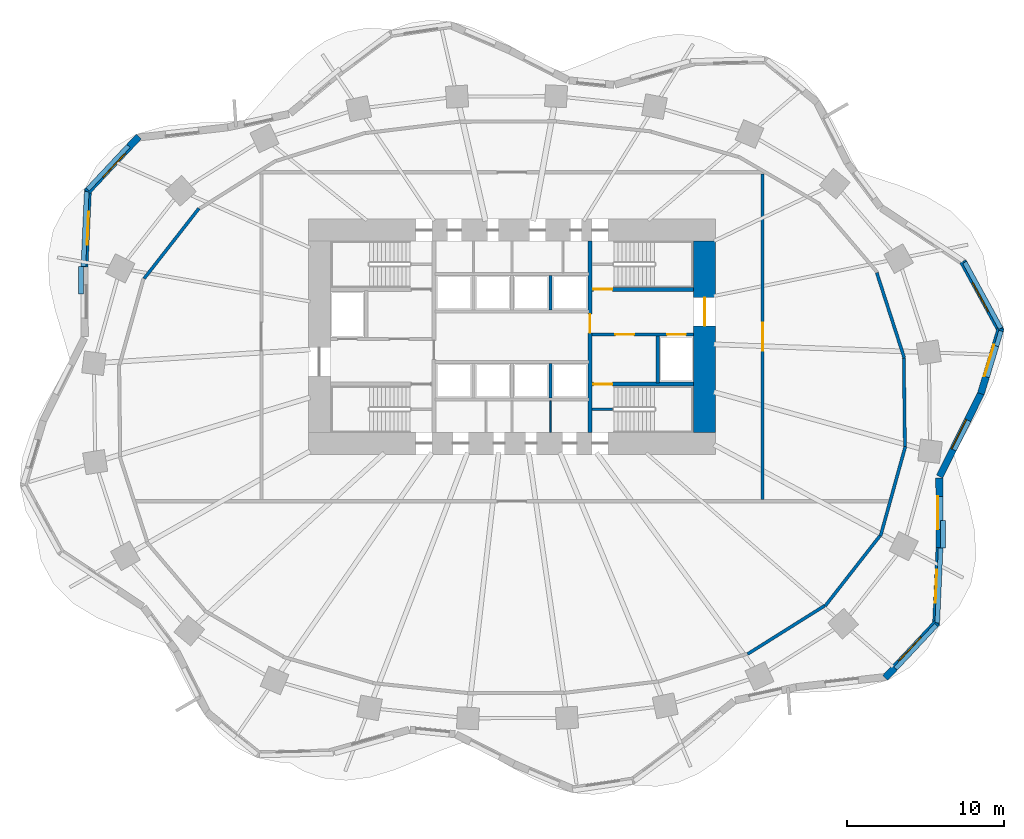
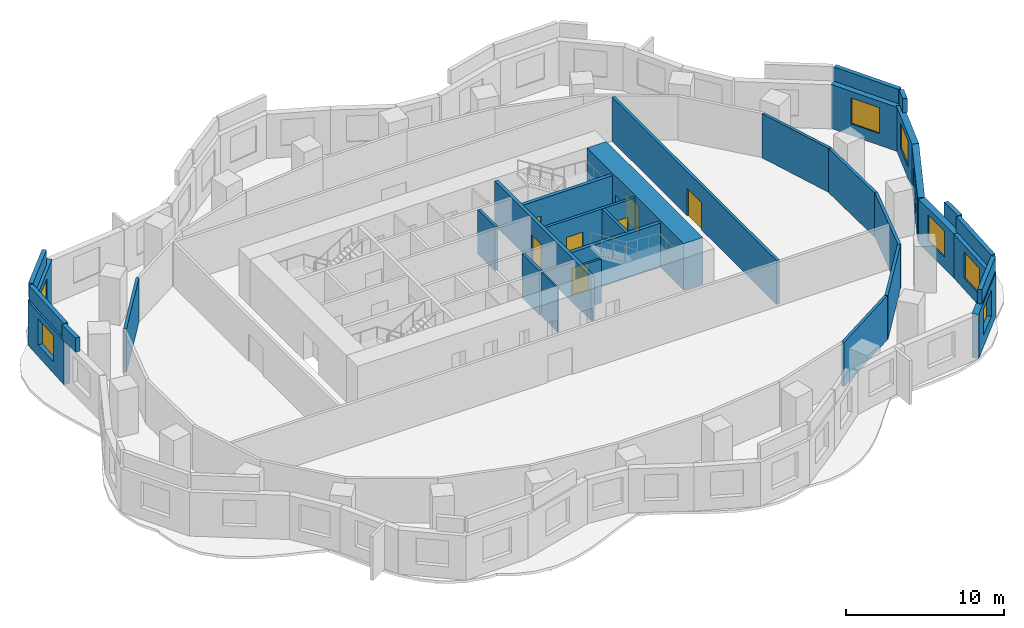
# One storey, part 5 of 8: 33 walls, 8 windows, 7 doors, 15 openings.
"""IFC4 building model written with IfcOpenShell, lengths in metres."""

from ifc_helpers import new_model, si_unit, direction, frame, frame_2d, origin, place, context, subcontext, project, spatial, rectangle, extrude, material, layer, layer_set, type_object, element, fill, save


model = new_model("IFC4")

# Units and contexts
model_context = context("Model", 3, precision=1e-05, world=origin(), true_north=direction((0.0, 1.0)))
body_context = subcontext(model_context, "Body", "Model", "MODEL_VIEW")
ifc_project = project(units=[si_unit("LENGTHUNIT", "METRE"), si_unit("AREAUNIT", "SQUARE_METRE"), si_unit("VOLUMEUNIT", "CUBIC_METRE"), si_unit("PLANEANGLEUNIT", "RADIAN"), si_unit("MASSUNIT", "GRAM", prefix="KILO")], contexts=[model_context])

# Site, building, storey
site_placement = place(None, origin())
site = spatial("IfcSite", under=ifc_project, at=site_placement, CompositionType="ELEMENT")
building_placement = place(site_placement, origin())
building = spatial("IfcBuilding", under=site, at=building_placement, Name="Rubra Terraces Tower", CompositionType="ELEMENT")
storey_placement = place(building_placement, frame((0.0, 0.0, 55.5)))
storey = spatial("IfcBuildingStorey", under=building, at=storey_placement, Name="L11", CompositionType="ELEMENT", Elevation=55.5)

# Wall, opening, window
ifc_material_1 = material(Name="Brick masonry red-brown", Category="masonry")
ifc_layer_1 = layer(ifc_material_1, 0.449951171875)
ifc_layer_set_1 = layer_set([ifc_layer_1], Name="Brick masonry red-brown")
wall_type_1 = type_object("IfcWallType", Name="Brick facade wall 450", PredefinedType="SOLIDWALL", material=ifc_layer_set_1)
wall_1_placement = place(storey_placement, frame((29.926513671875, 0.86474609375, 0.0), z_axis=(0.0, 0.0, 1.0), x_axis=(0.289432445378, 0.957198443147, 0.0)))
wall_1 = element("IfcWall", 1, at=wall_1_placement, inside=storey, type_object=wall_type_1, Name="Facade wall L11 bay 1", PredefinedType="SOLIDWALL", context=body_context, shape_type="SweptSolid", body=[
    extrude(rectangle(XDim=4.361083984375, YDim=0.449951171875, at=frame_2d((2.1806640625, 0.0))), origin(), (0.0, 0.0, 1.0), 3.39990234375),
])
opening_1_placement = place(wall_1_placement, frame((1.130615234375, 0.0, 0.89990234375)))
opening_1 = element("IfcOpeningElement", 2, at=opening_1_placement, cuts=wall_1, Name="Opening W1", PredefinedType="OPENING", context=body_context, shape_type="SweptSolid", body=[
    extrude(rectangle(XDim=2.10009765625, YDim=2.0, at=frame_2d((1.050048828125, 1.0))), frame((0.0, 0.23486328125, 0.0), z_axis=(0.0, -1.0, 0.0), x_axis=(1.0, 0.0, 0.0)), (0.0, 0.0, 1.0), 0.469970703125),
])
ifc_material_2 = material(Name="Clear glass in aluminium frame", Category="aluminium")
window_type = type_object("IfcWindowType", Name="Fixed deep-set window 2100 x 2000", PartitioningType="SINGLE_PANEL", PredefinedType="WINDOW", material=ifc_material_2)
window_1_placement = place(opening_1_placement, origin())
window_1 = element("IfcWindow", 3, at=window_1_placement, inside=storey, type_object=window_type, Name="Window L11 bay 1", OverallHeight=2.0, OverallWidth=2.10009765625, PartitioningType="SINGLE_PANEL", PredefinedType="WINDOW", context=body_context, shape_type="SweptSolid", body=[
    extrude(rectangle(XDim=2.10009765625, YDim=2.0, at=frame_2d((1.050048828125, 1.0))), frame((0.0, 0.135009765625, 0.0), z_axis=(0.0, -1.0, 0.0), x_axis=(1.0, 0.0, 0.0)), (0.0, 0.0, 1.0), 0.06005859375),
])
fill(opening_1, window_1)

wall_2_placement = place(storey_placement, frame((31.20654296875, 4.8662109375, 0.0), z_axis=(0.0, 0.0, 1.0), x_axis=(-0.479565142605, 0.877506281458, 0.0)))
wall_2 = element("IfcWall", 4, at=wall_2_placement, inside=storey, type_object=wall_type_1, Name="Facade wall L11 bay 2", PredefinedType="SOLIDWALL", context=body_context, shape_type="SweptSolid", body=[
    extrude(rectangle(XDim=5.060791015625, YDim=0.449951171875, at=frame_2d((2.5302734375, 0.0))), origin(), (0.0, 0.0, 1.0), 3.39990234375),
])
opening_2_placement = place(wall_2_placement, frame((1.48046875, 0.0, 0.89990234375)))
opening_2 = element("IfcOpeningElement", 5, at=opening_2_placement, cuts=wall_2, Name="Opening W1", PredefinedType="OPENING", context=body_context, shape_type="SweptSolid", body=[
    extrude(rectangle(XDim=2.10009765625, YDim=2.0, at=frame_2d((1.050048828125, 1.0))), frame((0.0, 0.23486328125, 0.0), z_axis=(0.0, -1.0, 0.0), x_axis=(1.0, 0.0, 0.0)), (0.0, 0.0, 1.0), 0.469970703125),
])
window_2_placement = place(opening_2_placement, origin())
window_2 = element("IfcWindow", 6, at=window_2_placement, inside=storey, type_object=window_type, Name="Window L11 bay 2", OverallHeight=2.0, OverallWidth=2.10009765625, PartitioningType="SINGLE_PANEL", PredefinedType="WINDOW", context=body_context, shape_type="SweptSolid", body=[
    extrude(rectangle(XDim=2.10009765625, YDim=2.0, at=frame_2d((1.050048828125, 1.0))), frame((0.0, 0.135009765625, 0.0), z_axis=(0.0, -1.0, 0.0), x_axis=(1.0, 0.0, 0.0)), (0.0, 0.0, 1.0), 0.06005859375),
])
fill(opening_2, window_2)

wall_3_placement = place(storey_placement, frame((-23.822021484375, 17.273193359375, 0.0), z_axis=(0.0, 0.0, 1.0), x_axis=(-0.684173167988, -0.729319598122, 0.0)))
wall_3 = element("IfcWall", 7, at=wall_3_placement, inside=storey, type_object=wall_type_1, Name="Facade wall L11 bay 17", PredefinedType="SOLIDWALL", context=body_context, shape_type="SweptSolid", body=[
    extrude(rectangle(XDim=4.8291015625, YDim=0.449951171875, at=frame_2d((2.41455078125, 0.0))), origin(), (0.0, 0.0, 1.0), 3.39990234375),
])
opening_3_placement = place(wall_3_placement, frame((1.364501953125, 0.0, 0.89990234375)))
opening_3 = element("IfcOpeningElement", 8, at=opening_3_placement, cuts=wall_3, Name="Opening W1", PredefinedType="OPENING", context=body_context, shape_type="SweptSolid", body=[
    extrude(rectangle(XDim=2.10009765625, YDim=2.0, at=frame_2d((1.050048828125, 1.0))), frame((0.0, 0.23486328125, 0.0), z_axis=(0.0, -1.0, 0.0), x_axis=(1.0, 0.0, 0.0)), (0.0, 0.0, 1.0), 0.469970703125),
])
window_3_placement = place(opening_3_placement, origin())
window_3 = element("IfcWindow", 9, at=window_3_placement, inside=storey, type_object=window_type, Name="Window L11 bay 17", OverallHeight=2.0, OverallWidth=2.10009765625, PartitioningType="SINGLE_PANEL", PredefinedType="WINDOW", context=body_context, shape_type="SweptSolid", body=[
    extrude(rectangle(XDim=2.10009765625, YDim=2.0, at=frame_2d((1.050048828125, 1.0))), frame((0.0, 0.135009765625, 0.0), z_axis=(0.0, -1.0, 0.0), x_axis=(1.0, 0.0, 0.0)), (0.0, 0.0, 1.0), 0.06005859375),
])
fill(opening_3, window_3)

wall_4_placement = place(storey_placement, frame((-27.0654296875, 13.889892578125, 0.0), z_axis=(0.0, 0.0, 1.0), x_axis=(-0.044544250924, -0.99900741224, 0.0)))
wall_4 = element("IfcWall", 10, at=wall_4_placement, inside=storey, type_object=wall_type_1, Name="Facade wall L11 bay 18", PredefinedType="SOLIDWALL", context=body_context, shape_type="SweptSolid", body=[
    extrude(rectangle(XDim=4.938232421875, YDim=0.449951171875, at=frame_2d((2.46923828125, 0.0))), origin(), (0.0, 0.0, 1.0), 3.39990234375),
])
opening_4_placement = place(wall_4_placement, frame((1.419189453125, 0.0, 0.89990234375)))
opening_4 = element("IfcOpeningElement", 11, at=opening_4_placement, cuts=wall_4, Name="Opening W1", PredefinedType="OPENING", context=body_context, shape_type="SweptSolid", body=[
    extrude(rectangle(XDim=2.10009765625, YDim=2.0, at=frame_2d((1.050048828125, 1.0))), frame((0.0, 0.23486328125, 0.0), z_axis=(0.0, -1.0, 0.0), x_axis=(1.0, 0.0, 0.0)), (0.0, 0.0, 1.0), 0.469970703125),
])
window_4_placement = place(opening_4_placement, origin())
window_4 = element("IfcWindow", 12, at=window_4_placement, inside=storey, type_object=window_type, Name="Window L11 bay 18", OverallHeight=2.0, OverallWidth=2.10009765625, PartitioningType="SINGLE_PANEL", PredefinedType="WINDOW", context=body_context, shape_type="SweptSolid", body=[
    extrude(rectangle(XDim=2.10009765625, YDim=2.0, at=frame_2d((1.050048828125, 1.0))), frame((0.0, 0.135009765625, 0.0), z_axis=(0.0, -1.0, 0.0), x_axis=(1.0, 0.0, 0.0)), (0.0, 0.0, 1.0), 0.06005859375),
])
fill(opening_4, window_4)

wall_5_placement = place(storey_placement, frame((23.822021484375, -17.273193359375, 0.0), z_axis=(0.0, 0.0, 1.0), x_axis=(0.684173167988, 0.729319598122, 0.0)))
wall_5 = element("IfcWall", 13, at=wall_5_placement, inside=storey, type_object=wall_type_1, Name="Facade wall L11 bay 37", PredefinedType="SOLIDWALL", context=body_context, shape_type="SweptSolid", body=[
    extrude(rectangle(XDim=4.8291015625, YDim=0.449951171875, at=frame_2d((2.41455078125, 0.0))), origin(), (0.0, 0.0, 1.0), 3.39990234375),
])
opening_5_placement = place(wall_5_placement, frame((1.364501953125, 0.0, 0.89990234375)))
opening_5 = element("IfcOpeningElement", 14, at=opening_5_placement, cuts=wall_5, Name="Opening W1", PredefinedType="OPENING", context=body_context, shape_type="SweptSolid", body=[
    extrude(rectangle(XDim=2.10009765625, YDim=2.0, at=frame_2d((1.050048828125, 1.0))), frame((0.0, 0.23486328125, 0.0), z_axis=(0.0, -1.0, 0.0), x_axis=(1.0, 0.0, 0.0)), (0.0, 0.0, 1.0), 0.469970703125),
])
window_5_placement = place(opening_5_placement, origin())
window_5 = element("IfcWindow", 15, at=window_5_placement, inside=storey, type_object=window_type, Name="Window L11 bay 37", OverallHeight=2.0, OverallWidth=2.10009765625, PartitioningType="SINGLE_PANEL", PredefinedType="WINDOW", context=body_context, shape_type="SweptSolid", body=[
    extrude(rectangle(XDim=2.10009765625, YDim=2.0, at=frame_2d((1.050048828125, 1.0))), frame((0.0, 0.135009765625, 0.0), z_axis=(0.0, -1.0, 0.0), x_axis=(1.0, 0.0, 0.0)), (0.0, 0.0, 1.0), 0.06005859375),
])
fill(opening_5, window_5)

wall_6_placement = place(storey_placement, frame((27.0654296875, -13.889892578125, 0.0), z_axis=(0.0, 0.0, 1.0), x_axis=(0.044544250924, 0.99900741224, 0.0)))
wall_6 = element("IfcWall", 16, at=wall_6_placement, inside=storey, type_object=wall_type_1, Name="Facade wall L11 bay 38", PredefinedType="SOLIDWALL", context=body_context, shape_type="SweptSolid", body=[
    extrude(rectangle(XDim=4.938232421875, YDim=0.449951171875, at=frame_2d((2.46923828125, 0.0))), origin(), (0.0, 0.0, 1.0), 3.39990234375),
])
opening_6_placement = place(wall_6_placement, frame((1.419189453125, 0.0, 0.89990234375)))
opening_6 = element("IfcOpeningElement", 17, at=opening_6_placement, cuts=wall_6, Name="Opening W1", PredefinedType="OPENING", context=body_context, shape_type="SweptSolid", body=[
    extrude(rectangle(XDim=2.10009765625, YDim=2.0, at=frame_2d((1.050048828125, 1.0))), frame((0.0, 0.23486328125, 0.0), z_axis=(0.0, -1.0, 0.0), x_axis=(1.0, 0.0, 0.0)), (0.0, 0.0, 1.0), 0.469970703125),
])
window_6_placement = place(opening_6_placement, origin())
window_6 = element("IfcWindow", 18, at=window_6_placement, inside=storey, type_object=window_type, Name="Window L11 bay 38", OverallHeight=2.0, OverallWidth=2.10009765625, PartitioningType="SINGLE_PANEL", PredefinedType="WINDOW", context=body_context, shape_type="SweptSolid", body=[
    extrude(rectangle(XDim=2.10009765625, YDim=2.0, at=frame_2d((1.050048828125, 1.0))), frame((0.0, 0.135009765625, 0.0), z_axis=(0.0, -1.0, 0.0), x_axis=(1.0, 0.0, 0.0)), (0.0, 0.0, 1.0), 0.06005859375),
])
fill(opening_6, window_6)

wall_7_placement = place(storey_placement, frame((27.284912109375, -8.966796875, 0.0), z_axis=(0.0, 0.0, 1.0), x_axis=(-0.003185571797, 0.999994926053, 0.0)))
wall_7 = element("IfcWall", 19, at=wall_7_placement, inside=storey, type_object=wall_type_1, Name="Facade wall L11 bay 39", PredefinedType="SOLIDWALL", context=body_context, shape_type="SweptSolid", body=[
    extrude(rectangle(XDim=4.445068359375, YDim=0.449951171875, at=frame_2d((2.22265625, 0.0))), origin(), (0.0, 0.0, 1.0), 3.39990234375),
])
opening_7_placement = place(wall_7_placement, frame((1.172607421875, 0.0, 0.89990234375)))
opening_7 = element("IfcOpeningElement", 20, at=opening_7_placement, cuts=wall_7, Name="Opening W1", PredefinedType="OPENING", context=body_context, shape_type="SweptSolid", body=[
    extrude(rectangle(XDim=2.10009765625, YDim=2.0, at=frame_2d((1.050048828125, 1.0))), frame((0.0, 0.23486328125, 0.0), z_axis=(0.0, -1.0, 0.0), x_axis=(1.0, 0.0, 0.0)), (0.0, 0.0, 1.0), 0.469970703125),
])
window_7_placement = place(opening_7_placement, origin())
window_7 = element("IfcWindow", 21, at=window_7_placement, inside=storey, type_object=window_type, Name="Window L11 bay 39", OverallHeight=2.0, OverallWidth=2.10009765625, PartitioningType="SINGLE_PANEL", PredefinedType="WINDOW", context=body_context, shape_type="SweptSolid", body=[
    extrude(rectangle(XDim=2.10009765625, YDim=2.0, at=frame_2d((1.050048828125, 1.0))), frame((0.0, 0.135009765625, 0.0), z_axis=(0.0, -1.0, 0.0), x_axis=(1.0, 0.0, 0.0)), (0.0, 0.0, 1.0), 0.06005859375),
])
fill(opening_7, window_7)

wall_8_placement = place(storey_placement, frame((27.294189453125, -4.426513671875, 0.0), z_axis=(0.0, 0.0, 1.0), x_axis=(0.444913249375, 0.895573671191, 0.0)))
wall_8 = element("IfcWall", 22, at=wall_8_placement, inside=storey, type_object=wall_type_1, Name="Facade wall L11 bay 40", PredefinedType="SOLIDWALL", context=body_context, shape_type="SweptSolid", body=[
    extrude(rectangle(XDim=5.947265625, YDim=0.449951171875, at=frame_2d((2.9736328125, 0.0))), origin(), (0.0, 0.0, 1.0), 3.39990234375),
])
opening_8_placement = place(wall_8_placement, frame((1.923583984375, 0.0, 0.89990234375)))
opening_8 = element("IfcOpeningElement", 23, at=opening_8_placement, cuts=wall_8, Name="Opening W1", PredefinedType="OPENING", context=body_context, shape_type="SweptSolid", body=[
    extrude(rectangle(XDim=2.10009765625, YDim=2.0, at=frame_2d((1.050048828125, 1.0))), frame((0.0, 0.23486328125, 0.0), z_axis=(0.0, -1.0, 0.0), x_axis=(1.0, 0.0, 0.0)), (0.0, 0.0, 1.0), 0.469970703125),
])
window_8_placement = place(opening_8_placement, origin())
window_8 = element("IfcWindow", 24, at=window_8_placement, inside=storey, type_object=window_type, Name="Window L11 bay 40", OverallHeight=2.0, OverallWidth=2.10009765625, PartitioningType="SINGLE_PANEL", PredefinedType="WINDOW", context=body_context, shape_type="SweptSolid", body=[
    extrude(rectangle(XDim=2.10009765625, YDim=2.0, at=frame_2d((1.050048828125, 1.0))), frame((0.0, 0.135009765625, 0.0), z_axis=(0.0, -1.0, 0.0), x_axis=(1.0, 0.0, 0.0)), (0.0, 0.0, 1.0), 0.06005859375),
])
fill(opening_8, window_8)

# Walls
ifc_layer_2 = layer(ifc_material_1, 0.300048828125)
ifc_layer_set_2 = layer_set([ifc_layer_2], Name="Brick masonry red-brown")
wall_type_2 = type_object("IfcWallType", Name="Brick parapet 300", PredefinedType="PARAPET", material=ifc_layer_set_2)
wall_9_placement = place(storey_placement, frame((30.923583984375, 3.9033203125, 3.60009765625), z_axis=(0.0, 0.0, 1.0), x_axis=(0.289368862089, 0.95721766681, 0.0)))
element("IfcWall", 25, at=wall_9_placement, inside=storey, type_object=wall_type_2, Name="Parapet L11 bay 1", PredefinedType="PARAPET", context=body_context, shape_type="SweptSolid", body=[
    extrude(rectangle(XDim=1.00830078125, YDim=0.300048828125, at=frame_2d((0.504150390625, 0.0))), origin(), (0.0, 0.0, 1.0), 1.099853515625),
])
wall_10_placement = place(storey_placement, frame((31.19775390625, 5.038818359375, 3.60009765625), z_axis=(0.0, 0.0, 1.0), x_axis=(-0.479564593641, 0.877506581472, 0.0)))
element("IfcWall", 26, at=wall_10_placement, inside=storey, type_object=wall_type_2, Name="Parapet L11 bay 2", PredefinedType="PARAPET", context=body_context, shape_type="SweptSolid", body=[
    extrude(rectangle(XDim=4.80078125, YDim=0.300048828125, at=frame_2d((2.400390625, 0.0))), origin(), (0.0, 0.0, 1.0), 1.099853515625),
])
wall_11_placement = place(storey_placement, frame((-24.4814453125, 16.6796875, 3.60009765625), z_axis=(0.0, 0.0, 1.0), x_axis=(-0.684154586848, -0.729337028606, 0.0)))
element("IfcWall", 27, at=wall_11_placement, inside=storey, type_object=wall_type_2, Name="Parapet L11 bay 17", PredefinedType="PARAPET", context=body_context, shape_type="SweptSolid", body=[
    extrude(rectangle(XDim=3.803955078125, YDim=0.300048828125, at=frame_2d((1.90185546875, 0.0))), origin(), (0.0, 0.0, 1.0), 1.099853515625),
])
wall_12_placement = place(storey_placement, frame((-27.146484375, 13.75732421875, 3.60009765625), z_axis=(0.0, 0.0, 1.0), x_axis=(-0.044503972994, -0.999009207359, 0.0)))
element("IfcWall", 28, at=wall_12_placement, inside=storey, type_object=wall_type_2, Name="Parapet L11 bay 18", PredefinedType="PARAPET", context=body_context, shape_type="SweptSolid", body=[
    extrude(rectangle(XDim=4.76708984375, YDim=0.300048828125, at=frame_2d((2.383544921875, 0.0))), origin(), (0.0, 0.0, 1.0), 1.099853515625),
])
wall_13_placement = place(storey_placement, frame((-27.510009765625, 8.9716796875, 3.60009765625), z_axis=(0.0, 0.0, 1.0), x_axis=(0.003223981002, -0.99999480296, 0.0)))
element("IfcWall", 29, at=wall_13_placement, inside=storey, type_object=wall_type_2, Name="Parapet L11 bay 19", PredefinedType="PARAPET", context=body_context, shape_type="SweptSolid", body=[
    extrude(rectangle(XDim=1.74169921875, YDim=0.300048828125, at=frame_2d((0.870849609375, 0.0))), origin(), (0.0, 0.0, 1.0), 1.099853515625),
])
wall_14_placement = place(storey_placement, frame((24.4814453125, -16.6796875, 3.60009765625), z_axis=(0.0, 0.0, 1.0), x_axis=(0.684154586848, 0.729337028606, 0.0)))
element("IfcWall", 30, at=wall_14_placement, inside=storey, type_object=wall_type_2, Name="Parapet L11 bay 37", PredefinedType="PARAPET", context=body_context, shape_type="SweptSolid", body=[
    extrude(rectangle(XDim=3.803955078125, YDim=0.300048828125, at=frame_2d((1.90185546875, 0.0))), origin(), (0.0, 0.0, 1.0), 1.099853515625),
])
wall_15_placement = place(storey_placement, frame((27.146484375, -13.75732421875, 3.60009765625), z_axis=(0.0, 0.0, 1.0), x_axis=(0.044503972994, 0.999009207359, 0.0)))
element("IfcWall", 31, at=wall_15_placement, inside=storey, type_object=wall_type_2, Name="Parapet L11 bay 38", PredefinedType="PARAPET", context=body_context, shape_type="SweptSolid", body=[
    extrude(rectangle(XDim=4.76708984375, YDim=0.300048828125, at=frame_2d((2.383544921875, 0.0))), origin(), (0.0, 0.0, 1.0), 1.099853515625),
])
wall_16_placement = place(storey_placement, frame((27.510009765625, -8.9716796875, 3.60009765625), z_axis=(0.0, 0.0, 1.0), x_axis=(-0.003223981002, 0.99999480296, 0.0)))
element("IfcWall", 32, at=wall_16_placement, inside=storey, type_object=wall_type_2, Name="Parapet L11 bay 39", PredefinedType="PARAPET", context=body_context, shape_type="SweptSolid", body=[
    extrude(rectangle(XDim=1.74169921875, YDim=0.300048828125, at=frame_2d((0.870849609375, 0.0))), origin(), (0.0, 0.0, 1.0), 1.099853515625),
])

# Wall, opening, door
ifc_material_3 = material(Name="Concrete C70", Category="concrete")
ifc_layer_3 = layer(ifc_material_3, 1.39990234375)
ifc_layer_set_3 = layer_set([ifc_layer_3], Name="Concrete C70")
wall_type_3 = type_object("IfcWallType", Name="CORE WALL 1400 C70", PredefinedType="SHEAR", material=ifc_layer_set_3)
wall_17_placement = place(storey_placement, frame((12.300048828125, -1.60009765625, 0.0), z_axis=(0.0, 0.0, 1.0), x_axis=(0.0, 1.0, 0.0)))
wall_17 = element("IfcWall", 33, at=wall_17_placement, inside=storey, type_object=wall_type_3, Name="CORE WALL E L11", PredefinedType="SHEAR", context=body_context, shape_type="SweptSolid", body=[
    extrude(rectangle(XDim=12.2001953125, YDim=1.39990234375, at=frame_2d((6.10009765625, 0.0))), origin(), (0.0, 0.0, 1.0), 3.60009765625),
])
opening_9_placement = place(wall_17_placement, frame((6.800048828125, 0.0, 0.0)))
opening_9 = element("IfcOpeningElement", 34, at=opening_9_placement, cuts=wall_17, Name="Opening L11.C02", PredefinedType="OPENING", context=body_context, shape_type="SweptSolid", body=[
    extrude(rectangle(XDim=1.800048828125, YDim=2.10009765625, at=frame_2d((0.89990234375, 1.050048828125))), frame((0.0, 0.7099609375, 0.0), z_axis=(0.0, -1.0, 0.0), x_axis=(1.0, 0.0, 0.0)), (0.0, 0.0, 1.0), 1.419921875),
])
ifc_material_4 = material(Name="Painted steel", Category="steel")
door_type_1 = type_object("IfcDoorType", Name="Fire door 1800x2100 double", OperationType="NOTDEFINED", PredefinedType="DOOR", material=ifc_material_4)
door_1_placement = place(opening_9_placement, origin())
door_1 = element("IfcDoor", 35, at=door_1_placement, inside=storey, type_object=door_type_1, Name="Core entrance door FF2", OperationType="DOUBLE_DOOR_SINGLE_SWING", OverallHeight=2.10009765625, OverallWidth=1.800048828125, PredefinedType="DOOR", context=body_context, shape_type="SweptSolid", body=[
    extrude(rectangle(XDim=1.800048828125, YDim=2.10009765625, at=frame_2d((0.89990234375, 1.050048828125))), frame((0.0, 0.02490234375, 0.0), z_axis=(0.0, -1.0, 0.0), x_axis=(1.0, 0.0, 0.0)), (0.0, 0.0, 1.0), 0.050048828125),
])
fill(opening_9, door_1)

# Wall, openings, doors
ifc_material_5 = material(Name="Concrete C30", Category="concrete")
ifc_layer_4 = layer(ifc_material_5, 0.199951171875)
ifc_layer_set_4 = layer_set([ifc_layer_4], Name="Concrete C30")
wall_type_4 = type_object("IfcWallType", Name="Core wall 200 concrete", PredefinedType="SOLIDWALL", material=ifc_layer_set_4)
wall_18_placement = place(storey_placement, frame((11.60009765625, 4.64990234375, 0.0), z_axis=(0.0, 0.0, 1.0), x_axis=(-1.0, 0.0, 0.0)))
wall_18 = element("IfcWall", 36, at=wall_18_placement, inside=storey, type_object=wall_type_4, Name="STAIR WALL L11", PredefinedType="SOLIDWALL", context=body_context, shape_type="SweptSolid", body=[
    extrude(rectangle(XDim=6.5, YDim=0.199951171875, at=frame_2d((3.25, 0.0))), origin(), (0.0, 0.0, 1.0), 3.39990234375),
])
opening_10_placement = place(wall_18_placement, frame((3.800048828125, 0.0, 0.0)))
opening_10 = element("IfcOpeningElement", 37, at=opening_10_placement, cuts=wall_18, Name="Opening L11.C06", PredefinedType="OPENING", context=body_context, shape_type="SweptSolid", body=[
    extrude(rectangle(XDim=1.199951171875, YDim=2.10009765625, at=frame_2d((0.60009765625, 1.050048828125))), frame((0.0, 0.10986328125, 0.0), z_axis=(0.0, -1.0, 0.0), x_axis=(1.0, 0.0, 0.0)), (0.0, 0.0, 1.0), 0.219970703125),
])
opening_11_placement = place(wall_18_placement, frame((0.5, 0.0, 0.0)))
opening_11 = element("IfcOpeningElement", 38, at=opening_11_placement, cuts=wall_18, Name="Opening L11.C12", PredefinedType="OPENING", context=body_context, shape_type="SweptSolid", body=[
    extrude(rectangle(XDim=1.199951171875, YDim=2.10009765625, at=frame_2d((0.60009765625, 1.050048828125))), frame((0.0, 0.10986328125, 0.0), z_axis=(0.0, -1.0, 0.0), x_axis=(1.0, 0.0, 0.0)), (0.0, 0.0, 1.0), 0.219970703125),
])
door_type_2 = type_object("IfcDoorType", Name="Fire door 1200x2100 single", OperationType="NOTDEFINED", PredefinedType="DOOR", material=ifc_material_4)
door_2_placement = place(opening_10_placement, origin())
door_2 = element("IfcDoor", 39, at=door_2_placement, inside=storey, type_object=door_type_2, Name="Stair vestibule door S4", OperationType="SINGLE_SWING_RIGHT", OverallHeight=2.10009765625, OverallWidth=1.199951171875, PredefinedType="DOOR", context=body_context, shape_type="SweptSolid", body=[
    extrude(rectangle(XDim=1.199951171875, YDim=2.10009765625, at=frame_2d((0.60009765625, 1.050048828125))), frame((0.0, 0.02490234375, 0.0), z_axis=(0.0, -1.0, 0.0), x_axis=(1.0, 0.0, 0.0)), (0.0, 0.0, 1.0), 0.050048828125),
])
fill(opening_10, door_2)
ifc_material_6 = material(Name="Stainless steel", Category="steel")
door_type_3 = type_object("IfcDoorType", Name="Lift landing door 1200x2100", OperationType="NOTDEFINED", PredefinedType="DOOR", material=ifc_material_6)
door_3_placement = place(opening_11_placement, origin())
door_3 = element("IfcDoor", 40, at=door_3_placement, inside=storey, type_object=door_type_3, Name="Landing door FF2", OperationType="SLIDING_TO_RIGHT", OverallHeight=2.10009765625, OverallWidth=1.199951171875, PredefinedType="DOOR", context=body_context, shape_type="SweptSolid", body=[
    extrude(rectangle(XDim=1.199951171875, YDim=2.10009765625, at=frame_2d((0.60009765625, 1.050048828125))), frame((0.0, 0.02490234375, 0.0), z_axis=(0.0, -1.0, 0.0), x_axis=(1.0, 0.0, 0.0)), (0.0, 0.0, 1.0), 0.050048828125),
])
fill(opening_11, door_3)

# Walls
wall_19_placement = place(storey_placement, frame((9.300048828125, 4.550048828125, 0.0), z_axis=(0.0, 0.0, 1.0), x_axis=(0.0, -1.0, 0.0)))
element("IfcWall", 41, at=wall_19_placement, inside=storey, type_object=wall_type_4, Name="STAIR WALL L11", PredefinedType="SOLIDWALL", context=body_context, shape_type="SweptSolid", body=[
    extrude(rectangle(XDim=3.0, YDim=0.199951171875, at=frame_2d((1.5, 0.0))), origin(), (0.0, 0.0, 1.0), 3.39990234375),
])
for number, where, z_axis, x_axis, name in (
    (42, (2.449951171875, 0.60009765625, 0.0), (0.0, 0.0, 1.0), (0.0, 1.0, 0.0), "LIFT SHAFT WALL L11"),
    (43, (2.449951171875, 6.199951171875, 0.0), (0.0, 0.0, 1.0), (0.0, 1.0, 0.0), "LIFT SHAFT WALL L11"),
):
    element("IfcWall", number, at=place(storey_placement, frame(where, z_axis=z_axis, x_axis=x_axis)), inside=storey, type_object=wall_type_4, Name=name, PredefinedType="SOLIDWALL", context=body_context, shape_type="SweptSolid", body=[
        extrude(rectangle(XDim=2.199951171875, YDim=0.199951171875, at=frame_2d((1.10009765625, 0.0))), origin(), (0.0, 0.0, 1.0), 3.39990234375),
    ])
ifc_material_7 = material(Name="Blockwork", Category="masonry")
ifc_layer_5 = layer(ifc_material_7, 0.199951171875)
ifc_layer_set_5 = layer_set([ifc_layer_5], Name="Blockwork")
wall_type_5 = type_object("IfcWallType", Name="Corridor partition 200 blockwork", PredefinedType="PARTITIONING", material=ifc_layer_set_5)
wall_20_placement = place(storey_placement, frame((25.10791015625, -2.50390625, 0.0), z_axis=(0.0, 0.0, 1.0), x_axis=(-0.267461570452, -0.963568528093, 0.0)))
element("IfcWall", 44, at=wall_20_placement, inside=storey, type_object=wall_type_5, Name="Partition wall", PredefinedType="PARTITIONING", context=body_context, shape_type="SweptSolid", body=[
    extrude(rectangle(XDim=5.9404296875, YDim=0.199951171875, at=frame_2d((2.97021484375, 0.0))), origin(), (0.0, 0.0, 1.0), 3.39990234375),
])
wall_21_placement = place(storey_placement, frame((23.48388671875, -8.2109375, 0.0), z_axis=(0.0, 0.0, 1.0), x_axis=(-0.61559569305, -0.788062143932, 0.0)))
element("IfcWall", 45, at=wall_21_placement, inside=storey, type_object=wall_type_5, Name="Partition wall", PredefinedType="PARTITIONING", context=body_context, shape_type="SweptSolid", body=[
    extrude(rectangle(XDim=5.68359375, YDim=0.199951171875, at=frame_2d((2.841796875, 0.0))), origin(), (0.0, 0.0, 1.0), 3.39990234375),
])
wall_22_placement = place(storey_placement, frame((19.9619140625, -12.6640625, 0.0), z_axis=(0.0, 0.0, 1.0), x_axis=(-0.847109868331, -0.531417793243, 0.0)))
element("IfcWall", 46, at=wall_22_placement, inside=storey, type_object=wall_type_5, Name="Partition wall", PredefinedType="PARTITIONING", context=body_context, shape_type="SweptSolid", body=[
    extrude(rectangle(XDim=5.8125, YDim=0.199951171875, at=frame_2d((2.90625, 0.0))), origin(), (0.0, 0.0, 1.0), 3.39990234375),
])
wall_23_placement = place(storey_placement, frame((-23.48388671875, 8.2109375, 0.0), z_axis=(0.0, 0.0, 1.0), x_axis=(0.61559569305, 0.788062143932, 0.0)))
element("IfcWall", 47, at=wall_23_placement, inside=storey, type_object=wall_type_5, Name="Partition wall", PredefinedType="PARTITIONING", context=body_context, shape_type="SweptSolid", body=[
    extrude(rectangle(XDim=5.68359375, YDim=0.199951171875, at=frame_2d((2.841796875, 0.0))), origin(), (0.0, 0.0, 1.0), 3.39990234375),
])
wall_24_placement = place(storey_placement, frame((23.281982421875, 8.593017578125, 0.0), z_axis=(0.0, 0.0, 1.0), x_axis=(0.307048901132, -0.951693738717, 0.0)))
element("IfcWall", 48, at=wall_24_placement, inside=storey, type_object=wall_type_5, Name="Partition wall", PredefinedType="PARTITIONING", context=body_context, shape_type="SweptSolid", body=[
    extrude(rectangle(XDim=5.722412109375, YDim=0.199951171875, at=frame_2d((2.861328125, 0.0))), origin(), (0.0, 0.0, 1.0), 3.39990234375),
])
wall_25_placement = place(storey_placement, frame((25.009033203125, 3.14208984375, 0.0), z_axis=(0.0, 0.0, 1.0), x_axis=(0.012590953382, -0.999920730805, 0.0)))
element("IfcWall", 49, at=wall_25_placement, inside=storey, type_object=wall_type_5, Name="Partition wall", PredefinedType="PARTITIONING", context=body_context, shape_type="SweptSolid", body=[
    extrude(rectangle(XDim=5.642578125, YDim=0.199951171875, at=frame_2d((2.8212890625, 0.0))), origin(), (0.0, 0.0, 1.0), 3.39990234375),
])

# Wall, opening, door
wall_26_placement = place(storey_placement, frame((16.0, -5.89990234375, 0.0), z_axis=(0.0, 0.0, 1.0), x_axis=(0.0, 1.0, 0.0)))
wall_26 = element("IfcWall", 50, at=wall_26_placement, inside=storey, type_object=wall_type_5, Name="Partition wall", PredefinedType="PARTITIONING", context=body_context, shape_type="SweptSolid", body=[
    extrude(rectangle(XDim=20.7998046875, YDim=0.199951171875, at=frame_2d((10.39990234375, 0.0))), origin(), (0.0, 0.0, 1.0), 3.39990234375),
])
opening_12_placement = place(wall_26_placement, frame((9.5, 0.0, 0.0)))
opening_12 = element("IfcOpeningElement", 51, at=opening_12_placement, cuts=wall_26, Name="Opening DB3", PredefinedType="OPENING", context=body_context, shape_type="SweptSolid", body=[
    extrude(rectangle(XDim=1.800048828125, YDim=2.10009765625, at=frame_2d((0.89990234375, 1.050048828125))), frame((0.0, 0.10986328125, 0.0), z_axis=(0.0, -1.0, 0.0), x_axis=(1.0, 0.0, 0.0)), (0.0, 0.0, 1.0), 0.219970703125),
])
door_type_4 = type_object("IfcDoorType", Name="Door 1800x2100 double", OperationType="NOTDEFINED", PredefinedType="DOOR", material=ifc_material_4)
door_4_placement = place(opening_12_placement, origin())
door_4 = element("IfcDoor", 52, at=door_4_placement, inside=storey, type_object=door_type_4, Name="Refuge area door L11-03", OperationType="DOUBLE_DOOR_SINGLE_SWING", OverallHeight=2.10009765625, OverallWidth=1.800048828125, PredefinedType="DOOR", context=body_context, shape_type="SweptSolid", body=[
    extrude(rectangle(XDim=1.800048828125, YDim=2.10009765625, at=frame_2d((0.89990234375, 1.050048828125))), frame((0.0, 0.02490234375, 0.0), z_axis=(0.0, -1.0, 0.0), x_axis=(1.0, 0.0, 0.0)), (0.0, 0.0, 1.0), 0.050048828125),
])
fill(opening_12, door_4)

# Wall
ifc_layer_6 = layer(ifc_material_7, 0.10009765625)
ifc_layer_set_6 = layer_set([ifc_layer_6], Name="Blockwork")
wall_type_6 = type_object("IfcWallType", Name="Service partition 100 blockwork", PredefinedType="PARTITIONING", material=ifc_layer_set_6)
wall_27_placement = place(storey_placement, frame((2.449951171875, -1.60009765625, 0.0), z_axis=(0.0, 0.0, 1.0), x_axis=(0.0, 1.0, 0.0)))
element("IfcWall", 53, at=wall_27_placement, inside=storey, type_object=wall_type_6, Name="SERVICE ROOM PARTITION L11", PredefinedType="PARTITIONING", context=body_context, shape_type="SweptSolid", body=[
    extrude(rectangle(XDim=2.0, YDim=0.10009765625, at=frame_2d((1.0, 0.0))), origin(), (0.0, 0.0, 1.0), 3.39990234375),
])

# Wall, opening, door
ifc_material_8 = material(Name="Concrete C40", Category="concrete")
ifc_layer_7 = layer(ifc_material_8, 0.25)
ifc_layer_set_7 = layer_set([ifc_layer_7], Name="Concrete C40")
wall_type_7 = type_object("IfcWallType", Name="Stair enclosure wall 250 concrete", PredefinedType="SOLIDWALL", material=ifc_layer_set_7)
wall_28_placement = place(storey_placement, frame((11.60009765625, 7.52490234375, 0.0), z_axis=(0.0, 0.0, 1.0), x_axis=(-1.0, 0.0, 0.0)))
wall_28 = element("IfcWall", 54, at=wall_28_placement, inside=storey, type_object=wall_type_7, Name="STAIR WALL L11", PredefinedType="SOLIDWALL", context=body_context, shape_type="SweptSolid", body=[
    extrude(rectangle(XDim=6.5, YDim=0.25, at=frame_2d((3.25, 0.0))), origin(), (0.0, 0.0, 1.0), 3.39990234375),
])
opening_13_placement = place(wall_28_placement, frame((5.199951171875, 0.0, 0.0)))
opening_13 = element("IfcOpeningElement", 55, at=opening_13_placement, cuts=wall_28, Name="Opening L11.C08", PredefinedType="OPENING", context=body_context, shape_type="SweptSolid", body=[
    extrude(rectangle(XDim=1.199951171875, YDim=2.10009765625, at=frame_2d((0.60009765625, 1.050048828125))), frame((0.0, 0.135009765625, 0.0), z_axis=(0.0, -1.0, 0.0), x_axis=(1.0, 0.0, 0.0)), (0.0, 0.0, 1.0), 0.27001953125),
])
door_5_placement = place(opening_13_placement, origin())
door_5 = element("IfcDoor", 56, at=door_5_placement, inside=storey, type_object=door_type_2, Name="Stair door S3", OperationType="SINGLE_SWING_RIGHT", OverallHeight=2.10009765625, OverallWidth=1.199951171875, PredefinedType="DOOR", context=body_context, shape_type="SweptSolid", body=[
    extrude(rectangle(XDim=1.199951171875, YDim=2.10009765625, at=frame_2d((0.60009765625, 1.050048828125))), frame((0.0, 0.02490234375, 0.0), z_axis=(0.0, -1.0, 0.0), x_axis=(1.0, 0.0, 0.0)), (0.0, 0.0, 1.0), 0.050048828125),
])
fill(opening_13, door_5)

wall_29_placement = place(storey_placement, frame((11.60009765625, 1.47509765625, 0.0), z_axis=(0.0, 0.0, 1.0), x_axis=(-1.0, 0.0, 0.0)))
wall_29 = element("IfcWall", 57, at=wall_29_placement, inside=storey, type_object=wall_type_7, Name="STAIR WALL L11", PredefinedType="SOLIDWALL", context=body_context, shape_type="SweptSolid", body=[
    extrude(rectangle(XDim=6.5, YDim=0.25, at=frame_2d((3.25, 0.0))), origin(), (0.0, 0.0, 1.0), 3.39990234375),
])
opening_14_placement = place(wall_29_placement, frame((5.199951171875, 0.0, 0.0)))
opening_14 = element("IfcOpeningElement", 58, at=opening_14_placement, cuts=wall_29, Name="Opening L11.C10", PredefinedType="OPENING", context=body_context, shape_type="SweptSolid", body=[
    extrude(rectangle(XDim=1.199951171875, YDim=2.10009765625, at=frame_2d((0.60009765625, 1.050048828125))), frame((0.0, 0.135009765625, 0.0), z_axis=(0.0, -1.0, 0.0), x_axis=(1.0, 0.0, 0.0)), (0.0, 0.0, 1.0), 0.27001953125),
])
door_6_placement = place(opening_14_placement, origin())
door_6 = element("IfcDoor", 59, at=door_6_placement, inside=storey, type_object=door_type_2, Name="Stair door S4", OperationType="SINGLE_SWING_RIGHT", OverallHeight=2.10009765625, OverallWidth=1.199951171875, PredefinedType="DOOR", context=body_context, shape_type="SweptSolid", body=[
    extrude(rectangle(XDim=1.199951171875, YDim=2.10009765625, at=frame_2d((0.60009765625, 1.050048828125))), frame((0.0, 0.02490234375, 0.0), z_axis=(0.0, -1.0, 0.0), x_axis=(1.0, 0.0, 0.0)), (0.0, 0.0, 1.0), 0.050048828125),
])
fill(opening_14, door_6)

wall_30_placement = place(storey_placement, frame((4.97509765625, 10.60009765625, 0.0), z_axis=(0.0, 0.0, 1.0), x_axis=(0.0, -1.0, 0.0)))
wall_30 = element("IfcWall", 60, at=wall_30_placement, inside=storey, type_object=wall_type_7, Name="CORE LOBBY WALL L11", PredefinedType="SOLIDWALL", context=body_context, shape_type="SweptSolid", body=[
    extrude(rectangle(XDim=12.2001953125, YDim=0.25, at=frame_2d((6.10009765625, 0.0))), origin(), (0.0, 0.0, 1.0), 3.39990234375),
])
opening_15_placement = place(wall_30_placement, frame((4.64990234375, 0.0, 0.0)))
opening_15 = element("IfcOpeningElement", 61, at=opening_15_placement, cuts=wall_30, Name="Opening L11.C04", PredefinedType="OPENING", context=body_context, shape_type="SweptSolid", body=[
    extrude(rectangle(XDim=1.199951171875, YDim=2.10009765625, at=frame_2d((0.60009765625, 1.050048828125))), frame((0.0, 0.135009765625, 0.0), z_axis=(0.0, -1.0, 0.0), x_axis=(1.0, 0.0, 0.0)), (0.0, 0.0, 1.0), 0.27001953125),
])
door_7_placement = place(opening_15_placement, origin())
door_7 = element("IfcDoor", 62, at=door_7_placement, inside=storey, type_object=door_type_2, Name="Firefighting lobby door FF2", OperationType="SINGLE_SWING_RIGHT", OverallHeight=2.10009765625, OverallWidth=1.199951171875, PredefinedType="DOOR", context=body_context, shape_type="SweptSolid", body=[
    extrude(rectangle(XDim=1.199951171875, YDim=2.10009765625, at=frame_2d((0.60009765625, 1.050048828125))), frame((0.0, 0.02490234375, 0.0), z_axis=(0.0, -1.0, 0.0), x_axis=(1.0, 0.0, 0.0)), (0.0, 0.0, 1.0), 0.050048828125),
])
fill(opening_15, door_7)

# Wall
ifc_layer_8 = layer(ifc_material_8, 0.14990234375)
ifc_layer_set_8 = layer_set([ifc_layer_8], Name="Concrete C40")
wall_type_8 = type_object("IfcWallType", Name="Stair separation wall 150 concrete", PredefinedType="SOLIDWALL", material=ifc_layer_set_8)
wall_31_placement = place(storey_placement, frame((6.39990234375, -0.125, 0.0), z_axis=(0.0, 0.0, 1.0), x_axis=(-1.0, 0.0, 0.0)))
element("IfcWall", 63, at=wall_31_placement, inside=storey, type_object=wall_type_8, Name="STAIR SEPARATION WALL L11", PredefinedType="SOLIDWALL", context=body_context, shape_type="SweptSolid", body=[
    extrude(rectangle(XDim=1.2998046875, YDim=0.14990234375, at=frame_2d((0.64990234375, 0.0))), origin(), (0.0, 0.0, 1.0), 3.39990234375),
])

save(model, "model.ifc")
